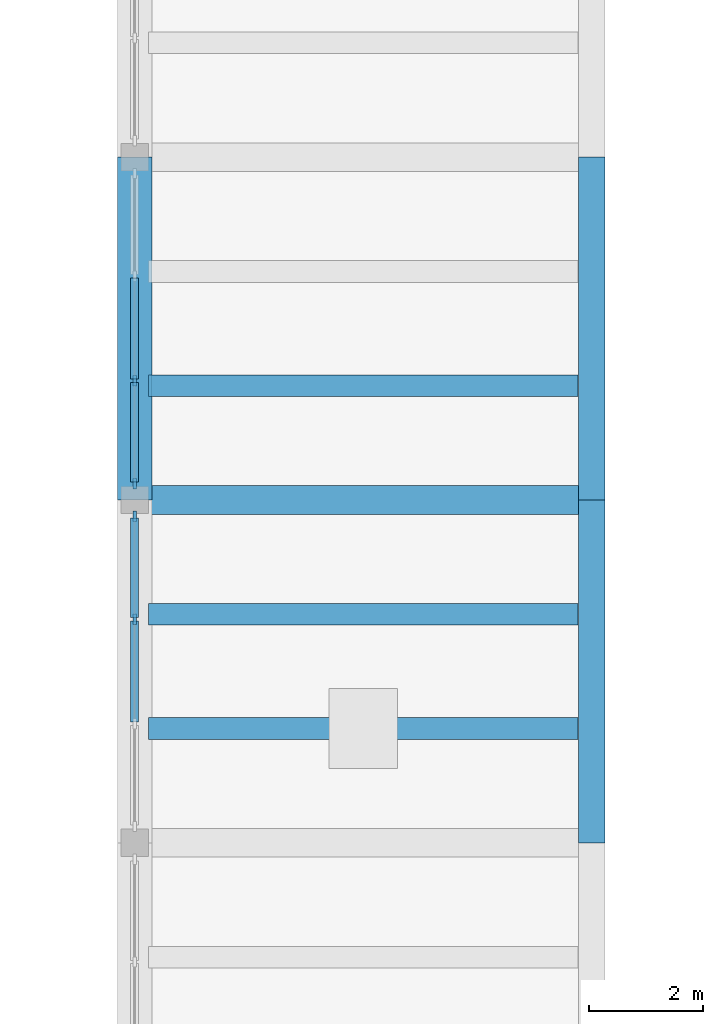
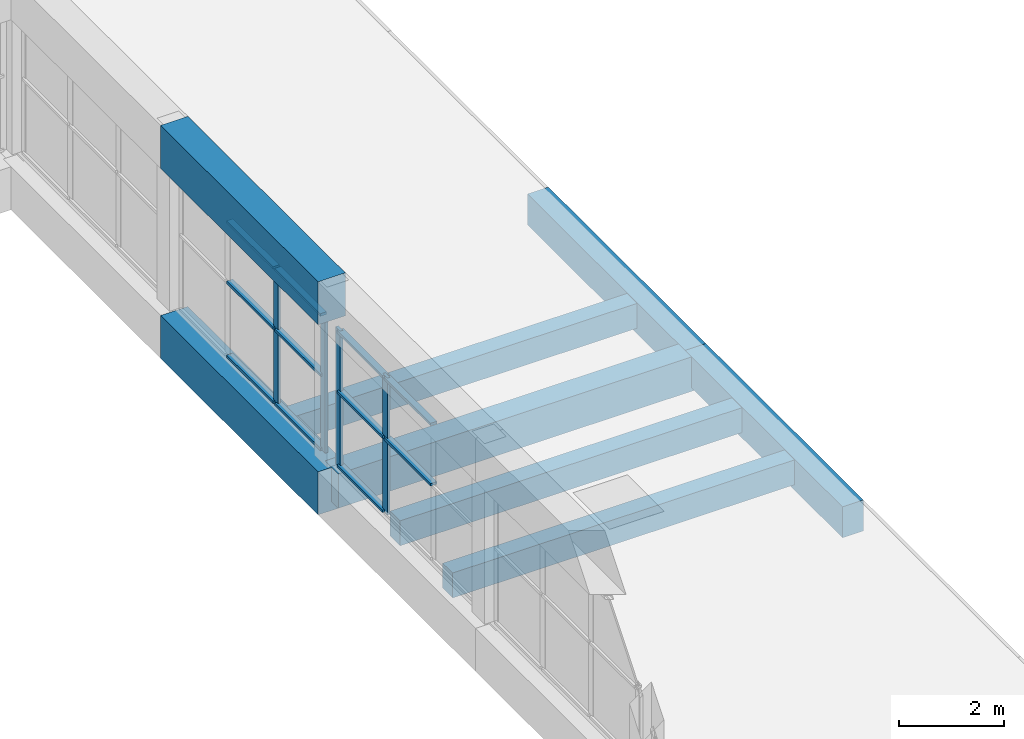
# One storey, part 14 of 70: 15 members, 8 beams, 2 elements without a shape of their own.
"""IFC4 building model written with IfcOpenShell, lengths in metres."""

from ifc_helpers import new_model, si_unit, direction, frame, origin, origin_2d, place, context, subcontext, project, spatial, rectangle, extrude, material, layer, layer_set, material_profile, profile_set, type_object, element, aggregate, save


model = new_model("IFC4")

# Units and contexts
model_context = context("Model", 3, precision=1e-05, world=origin(), true_north=direction((0.0, 1.0)))
body_context = subcontext(model_context, "Body", "Model", "MODEL_VIEW")
ifc_project = project(units=[si_unit("LENGTHUNIT", "METRE"), si_unit("AREAUNIT", "SQUARE_METRE"), si_unit("VOLUMEUNIT", "CUBIC_METRE"), si_unit("PLANEANGLEUNIT", "RADIAN"), si_unit("MASSUNIT", "GRAM", prefix="KILO")], contexts=[model_context])

# Site, building, storey
site_placement = place(None, origin())
site = spatial("IfcSite", under=ifc_project, at=site_placement, CompositionType="ELEMENT")
building_placement = place(site_placement, origin())
building = spatial("IfcBuilding", under=site, at=building_placement, Name="Solvane Community Centre", CompositionType="ELEMENT")
storey_placement = place(building_placement, frame((0.0, 0.0, 9.60009765625)))
storey = spatial("IfcBuildingStorey", under=building, at=storey_placement, Name="L02", CompositionType="ELEMENT", Elevation=9.60009765625)

# Curtain wall, members
ifc_material_1 = material(Name="Anodised bronze aluminium AW-6063 T6", Category="aluminium")
ifc_layer = layer(ifc_material_1, 0.179931640625)
ifc_layer_set = layer_set([ifc_layer], Name="Anodised bronze aluminium AW-6063 T6")
curtain_wall_type = type_object("IfcCurtainWallType", Name="Hall Translucent Upper Curtain Wall [55x32dm]", PredefinedType="NOTDEFINED", material=ifc_layer_set)
curtain_wall_1_placement = place(storey_placement, origin())
curtain_wall_1 = element("IfcCurtainWall", 1, at=curtain_wall_1_placement, inside=storey, type_object=curtain_wall_type, Name="Curtain Wall CW-L02-600_603-140", PredefinedType="NOTDEFINED")
ifc_material_profile_1 = material_profile(ifc_material_1, rectangle(XDim=0.06005859375, YDim=0.179931640625, at=origin_2d()), Name="CW-M 60x180")
ifc_profile_set_1 = profile_set([ifc_material_profile_1], Name="Anodised bronze aluminium AW-6063 T6")
member_type_1 = type_object("IfcMemberType", Name="Hall Mullion 60x180", PredefinedType="MULLION", material=ifc_profile_set_1)
member_1_placement = place(storey_placement, frame((60.0, 63.9150390625, 0.0), z_axis=(0.0, 0.0, 1.0), x_axis=(-1.0, 0.0, 0.0)))
member_1 = element("IfcMember", 2, at=member_1_placement, type_object=member_type_1, Name="CW01-55x32 mullion 3", PredefinedType="MULLION", context=body_context, shape_type="SweptSolid", body=[
    extrude(rectangle(XDim=0.06005859375, YDim=0.179931640625, at=origin_2d()), origin(), (0.0, 0.0, 1.0), 3.184814453125),
])
member_2_placement = place(storey_placement, frame((60.0, 65.715087890625, 0.0), z_axis=(0.0, 0.0, 1.0), x_axis=(-1.0, 0.0, 0.0)))
member_2 = element("IfcMember", 3, at=member_2_placement, type_object=member_type_1, Name="CW01-55x32 mullion 4", PredefinedType="MULLION", context=body_context, shape_type="SweptSolid", body=[
    extrude(rectangle(XDim=0.06005859375, YDim=0.179931640625, at=origin_2d()), origin(), (0.0, 0.0, 1.0), 3.184814453125),
])

curtain_wall_2_placement = place(storey_placement, origin())
curtain_wall_2 = element("IfcCurtainWall", 4, at=curtain_wall_2_placement, inside=storey, type_object=curtain_wall_type, Name="Curtain Wall CW-L02-600_663-141", PredefinedType="NOTDEFINED")
member_3_placement = place(storey_placement, frame((60.0, 66.284912109375, 0.0), z_axis=(0.0, 0.0, 1.0), x_axis=(-1.0, 0.0, 0.0)))
member_3 = element("IfcMember", 5, at=member_3_placement, type_object=member_type_1, Name="CW01-55x32 mullion 1", PredefinedType="MULLION", context=body_context, shape_type="SweptSolid", body=[
    extrude(rectangle(XDim=0.06005859375, YDim=0.179931640625, at=origin_2d()), origin(), (0.0, 0.0, 1.0), 3.184814453125),
])
member_4_placement = place(storey_placement, frame((60.0, 68.0849609375, 0.0), z_axis=(0.0, 0.0, 1.0), x_axis=(-1.0, 0.0, 0.0)))
member_4 = element("IfcMember", 6, at=member_4_placement, type_object=member_type_1, Name="CW01-55x32 mullion 2", PredefinedType="MULLION", context=body_context, shape_type="SweptSolid", body=[
    extrude(rectangle(XDim=0.06005859375, YDim=0.179931640625, at=origin_2d()), origin(), (0.0, 0.0, 1.0), 3.184814453125),
])

# Member
ifc_material_profile_2 = material_profile(ifc_material_1, rectangle(XDim=0.139892578125, YDim=0.06005859375, at=origin_2d()), Name="CW-T 60x140")
ifc_profile_set_2 = profile_set([ifc_material_profile_2], Name="Anodised bronze aluminium AW-6063 T6")
member_type_2 = type_object("IfcMemberType", Name="Hall Transom 60x140", PredefinedType="USERDEFINED", material=ifc_profile_set_2)
member_5_placement = place(storey_placement, frame((60.0, 62.114990234375, 1.751953125), z_axis=(0.0, 1.0, 0.0), x_axis=(-1.0, 0.0, 0.0)))
member_5 = element("IfcMember", 7, at=member_5_placement, type_object=member_type_2, Name="CW01-55x32 transom 2.2", ObjectType="TRANSOM", PredefinedType="USERDEFINED", context=body_context, shape_type="SweptSolid", body=[
    extrude(rectangle(XDim=0.139892578125, YDim=0.06005859375, at=origin_2d()), origin(), (0.0, 0.0, 1.0), 1.77001953125),
])

member_6_placement = place(storey_placement, frame((60.0, 62.114990234375, 3.15478515625), z_axis=(0.0, 1.0, 0.0), x_axis=(-1.0, 0.0, 0.0)))
member_6 = element("IfcMember", 8, at=member_6_placement, type_object=member_type_2, Name="CW01-55x32 transom 2.3", ObjectType="TRANSOM", PredefinedType="USERDEFINED", context=body_context, shape_type="SweptSolid", body=[
    extrude(rectangle(XDim=0.139892578125, YDim=0.06005859375, at=origin_2d()), origin(), (0.0, 0.0, 1.0), 1.77001953125),
])

member_7_placement = place(storey_placement, frame((60.0, 63.945068359375, 0.02978515625), z_axis=(0.0, 1.0, 0.0), x_axis=(-1.0, 0.0, 0.0)))
member_7 = element("IfcMember", 9, at=member_7_placement, type_object=member_type_2, Name="CW01-55x32 transom 3.1", ObjectType="TRANSOM", PredefinedType="USERDEFINED", context=body_context, shape_type="SweptSolid", body=[
    extrude(rectangle(XDim=0.139892578125, YDim=0.06005859375, at=origin_2d()), origin(), (0.0, 0.0, 1.0), 1.739990234375),
])

member_8_placement = place(storey_placement, frame((60.0, 63.945068359375, 1.751953125), z_axis=(0.0, 1.0, 0.0), x_axis=(-1.0, 0.0, 0.0)))
member_8 = element("IfcMember", 10, at=member_8_placement, type_object=member_type_2, Name="CW01-55x32 transom 3.2", ObjectType="TRANSOM", PredefinedType="USERDEFINED", context=body_context, shape_type="SweptSolid", body=[
    extrude(rectangle(XDim=0.139892578125, YDim=0.06005859375, at=origin_2d()), origin(), (0.0, 0.0, 1.0), 1.739990234375),
])

member_9_placement = place(storey_placement, frame((60.0, 63.945068359375, 3.15478515625), z_axis=(0.0, 1.0, 0.0), x_axis=(-1.0, 0.0, 0.0)))
member_9 = element("IfcMember", 11, at=member_9_placement, type_object=member_type_2, Name="CW01-55x32 transom 3.3", ObjectType="TRANSOM", PredefinedType="USERDEFINED", context=body_context, shape_type="SweptSolid", body=[
    extrude(rectangle(XDim=0.139892578125, YDim=0.06005859375, at=origin_2d()), origin(), (0.0, 0.0, 1.0), 1.739990234375),
])

aggregate(curtain_wall_1, [member_1, member_2, member_5, member_6, member_7, member_8, member_9])

member_10_placement = place(storey_placement, frame((60.0, 66.31494140625, 0.02978515625), z_axis=(0.0, 1.0, 0.0), x_axis=(-1.0, 0.0, 0.0)))
member_10 = element("IfcMember", 12, at=member_10_placement, type_object=member_type_2, Name="CW01-55x32 transom 1.1", ObjectType="TRANSOM", PredefinedType="USERDEFINED", context=body_context, shape_type="SweptSolid", body=[
    extrude(rectangle(XDim=0.139892578125, YDim=0.06005859375, at=origin_2d()), origin(), (0.0, 0.0, 1.0), 1.739990234375),
])

member_11_placement = place(storey_placement, frame((60.0, 66.31494140625, 1.751953125), z_axis=(0.0, 1.0, 0.0), x_axis=(-1.0, 0.0, 0.0)))
member_11 = element("IfcMember", 13, at=member_11_placement, type_object=member_type_2, Name="CW01-55x32 transom 1.2", ObjectType="TRANSOM", PredefinedType="USERDEFINED", context=body_context, shape_type="SweptSolid", body=[
    extrude(rectangle(XDim=0.139892578125, YDim=0.06005859375, at=origin_2d()), origin(), (0.0, 0.0, 1.0), 1.739990234375),
])

member_12_placement = place(storey_placement, frame((60.0, 66.31494140625, 3.15478515625), z_axis=(0.0, 1.0, 0.0), x_axis=(-1.0, 0.0, 0.0)))
member_12 = element("IfcMember", 14, at=member_12_placement, type_object=member_type_2, Name="CW01-55x32 transom 1.3", ObjectType="TRANSOM", PredefinedType="USERDEFINED", context=body_context, shape_type="SweptSolid", body=[
    extrude(rectangle(XDim=0.139892578125, YDim=0.06005859375, at=origin_2d()), origin(), (0.0, 0.0, 1.0), 1.739990234375),
])

member_13_placement = place(storey_placement, frame((60.0, 68.114990234375, 0.02978515625), z_axis=(0.0, 1.0, 0.0), x_axis=(-1.0, 0.0, 0.0)))
member_13 = element("IfcMember", 15, at=member_13_placement, type_object=member_type_2, Name="CW01-55x32 transom 2.1", ObjectType="TRANSOM", PredefinedType="USERDEFINED", context=body_context, shape_type="SweptSolid", body=[
    extrude(rectangle(XDim=0.139892578125, YDim=0.06005859375, at=origin_2d()), origin(), (0.0, 0.0, 1.0), 1.77001953125),
])

member_14_placement = place(storey_placement, frame((60.0, 68.114990234375, 1.751953125), z_axis=(0.0, 1.0, 0.0), x_axis=(-1.0, 0.0, 0.0)))
member_14 = element("IfcMember", 16, at=member_14_placement, type_object=member_type_2, Name="CW01-55x32 transom 2.2", ObjectType="TRANSOM", PredefinedType="USERDEFINED", context=body_context, shape_type="SweptSolid", body=[
    extrude(rectangle(XDim=0.139892578125, YDim=0.06005859375, at=origin_2d()), origin(), (0.0, 0.0, 1.0), 1.77001953125),
])

member_15_placement = place(storey_placement, frame((60.0, 68.114990234375, 3.15478515625), z_axis=(0.0, 1.0, 0.0), x_axis=(-1.0, 0.0, 0.0)))
member_15 = element("IfcMember", 17, at=member_15_placement, type_object=member_type_2, Name="CW01-55x32 transom 2.3", ObjectType="TRANSOM", PredefinedType="USERDEFINED", context=body_context, shape_type="SweptSolid", body=[
    extrude(rectangle(XDim=0.139892578125, YDim=0.06005859375, at=origin_2d()), origin(), (0.0, 0.0, 1.0), 1.77001953125),
])

aggregate(curtain_wall_2, [member_3, member_4, member_10, member_11, member_12, member_13, member_14, member_15])

# Beams
ifc_material_2 = material(Name="Concrete C35/45", Category="concrete")
ifc_material_profile_3 = material_profile(ifc_material_2, rectangle(XDim=0.4599609375, YDim=0.719970703125, at=origin_2d()), Name="RC 460x720")
ifc_profile_set_3 = profile_set([ifc_material_profile_3], Name="Concrete C35/45")
beam_type_1 = type_object("IfcBeamType", Name="RC Cloister Beam 460x720", PredefinedType="BEAM", material=ifc_profile_set_3)
for number, where, z_axis, x_axis, name in (
    (18, (68.0, 60.0, -0.580078125), (0.0, 1.0, 0.0), (-1.0, 0.0, 0.0), "Beam BM-L02-680_600-680_660"),
    (19, (68.0, 66.0, -0.580078125), (0.0, 1.0, 0.0), (-1.0, 0.0, 0.0), "Beam BM-L02-680_660-680_720"),
):
    element("IfcBeam", number, at=place(storey_placement, frame(where, z_axis=z_axis, x_axis=x_axis)), inside=storey, type_object=beam_type_1, Name=name, PredefinedType="BEAM", context=body_context, shape_type="SweptSolid", body=[
        extrude(rectangle(XDim=0.4599609375, YDim=0.719970703125, at=origin_2d()), origin(), (0.0, 0.0, 1.0), 6.0),
    ])
ifc_material_profile_4 = material_profile(ifc_material_2, rectangle(XDim=0.5, YDim=0.800048828125, at=origin_2d()), Name="RC 500x800")
ifc_profile_set_4 = profile_set([ifc_material_profile_4], Name="Concrete C35/45")
beam_type_2 = type_object("IfcBeamType", Name="RC Primary Girder 500x800", PredefinedType="USERDEFINED", material=ifc_profile_set_4)
beam_placement = place(storey_placement, frame((60.0, 66.0, -0.6201171875), z_axis=(1.0, 0.0, 0.0), x_axis=(0.0, 1.0, 0.0)))
element("IfcBeam", 20, at=beam_placement, inside=storey, type_object=beam_type_2, Name="Beam BM-L02-600_660-680_660", ObjectType="GIRDER", PredefinedType="USERDEFINED", context=body_context, shape_type="SweptSolid", body=[
    extrude(rectangle(XDim=0.5, YDim=0.800048828125, at=origin_2d()), origin(), (0.0, 0.0, 1.0), 8.0),
])
ifc_material_profile_5 = material_profile(ifc_material_2, rectangle(XDim=0.3798828125, YDim=0.580078125, at=origin_2d()), Name="RC 380x580")
ifc_profile_set_5 = profile_set([ifc_material_profile_5], Name="Concrete C35/45")
beam_type_3 = type_object("IfcBeamType", Name="RC Short Joist 380x580", PredefinedType="JOIST", material=ifc_profile_set_5)
for number, where, z_axis, x_axis, name in (
    (21, (60.239990234375, 62.0, -0.510009765625), (1.0, 0.0, 0.0), (0.0, 1.0, 0.0), "Beam BM-L02-602_620-678_620"),
    (22, (60.239990234375, 64.0, -0.510009765625), (1.0, 0.0, 0.0), (0.0, 1.0, 0.0), "Beam BM-L02-602_640-678_640"),
    (23, (60.239990234375, 68.0, -0.510009765625), (1.0, 0.0, 0.0), (0.0, 1.0, 0.0), "Beam BM-L02-602_680-678_680"),
):
    element("IfcBeam", number, at=place(storey_placement, frame(where, z_axis=z_axis, x_axis=x_axis)), inside=storey, type_object=beam_type_3, Name=name, PredefinedType="JOIST", context=body_context, shape_type="SweptSolid", body=[
        extrude(rectangle(XDim=0.3798828125, YDim=0.580078125, at=origin_2d()), origin(), (0.0, 0.0, 1.0), 7.52001953125),
    ])
ifc_material_profile_6 = material_profile(ifc_material_2, rectangle(XDim=0.60009765625, YDim=1.0, at=origin_2d()), Name="RC 600x1000")
ifc_profile_set_6 = profile_set([ifc_material_profile_6], Name="Concrete C35/45")
beam_type_4 = type_object("IfcBeamType", Name="RC Vault Thrust Ring Girder 600x1000", PredefinedType="USERDEFINED", material=ifc_profile_set_6)
for number, where, z_axis, x_axis, name in (
    (24, (60.0, 66.0, -0.72021484375), (0.0, 1.0, 0.0), (-1.0, 0.0, 0.0), "Beam BM-L02-600_660-600_720"),
    (25, (60.0, 66.0, 3.699951171875), (0.0, 1.0, 0.0), (-1.0, 0.0, 0.0), "Beam BM-L02-600_660-600_720-1467"),
):
    element("IfcBeam", number, at=place(storey_placement, frame(where, z_axis=z_axis, x_axis=x_axis)), inside=storey, type_object=beam_type_4, Name=name, ObjectType="GIRDER", PredefinedType="USERDEFINED", context=body_context, shape_type="SweptSolid", body=[
        extrude(rectangle(XDim=0.60009765625, YDim=1.0, at=origin_2d()), origin(), (0.0, 0.0, 1.0), 6.0),
    ])

save(model, "model.ifc")
